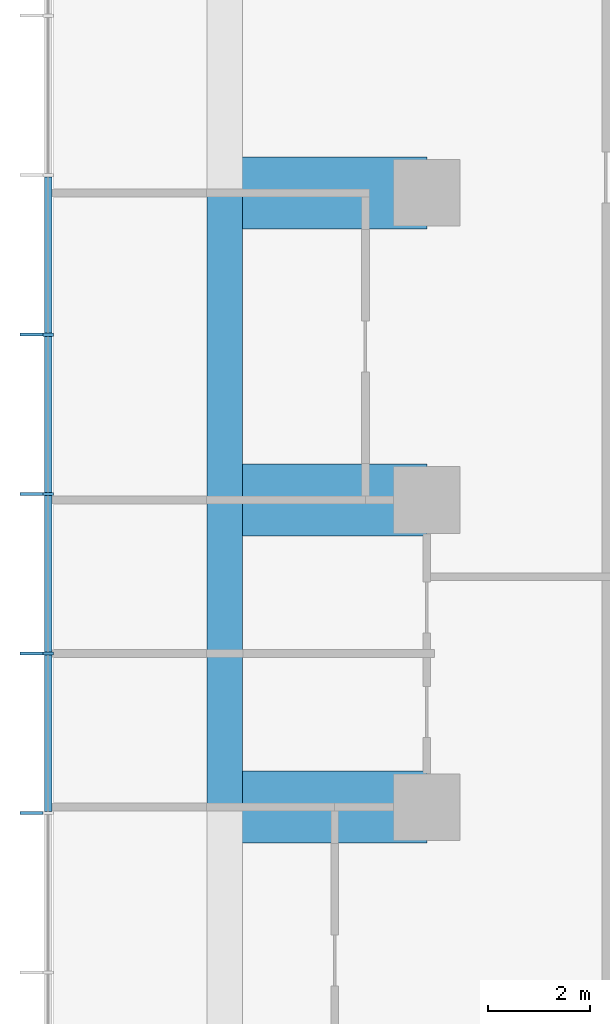
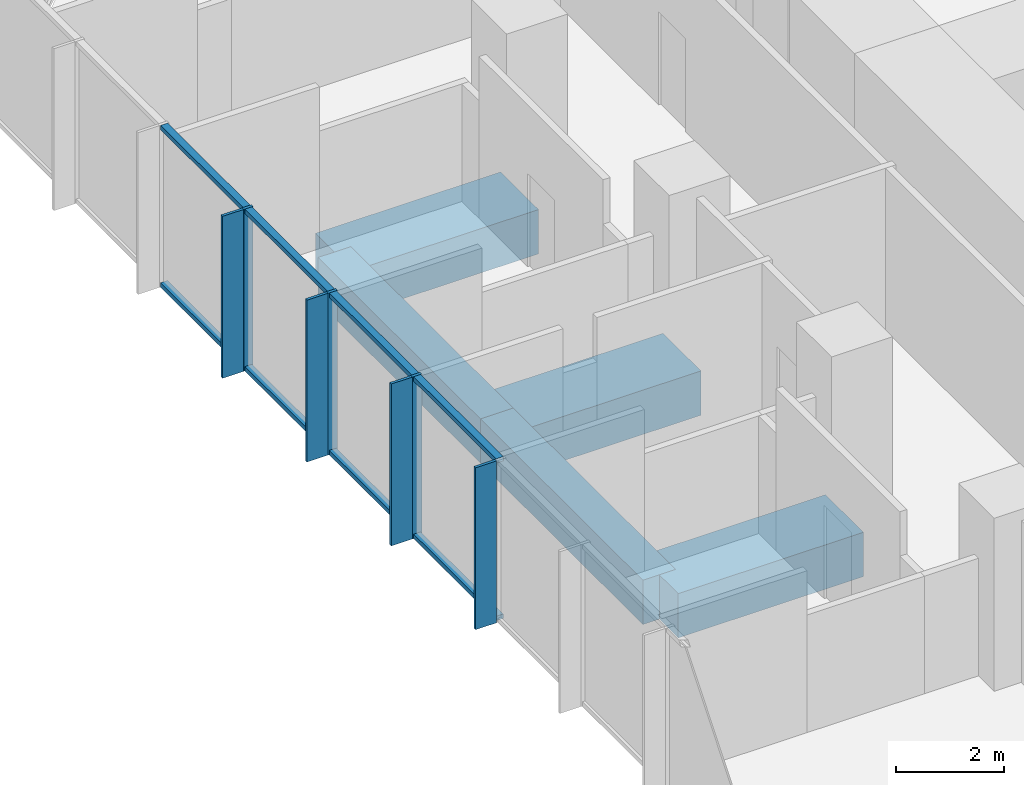
# One storey, part 3 of 11: 15 members, 5 beams, 1 element without a shape of its own.
"""IFC4 building model written with IfcOpenShell, lengths in metres."""

from ifc_helpers import new_model, si_unit, direction, frame, origin, origin_2d, place, context, subcontext, project, spatial, rectangle, extrude, material, layer, layer_set, material_profile, profile_set, type_object, element, aggregate, save


model = new_model("IFC4")

# Units and contexts
model_context = context("Model", 3, precision=1e-05, world=origin(), true_north=direction((0.0, 1.0)))
body_context = subcontext(model_context, "Body", "Model", "MODEL_VIEW")
ifc_project = project(units=[si_unit("LENGTHUNIT", "METRE"), si_unit("AREAUNIT", "SQUARE_METRE"), si_unit("VOLUMEUNIT", "CUBIC_METRE"), si_unit("PLANEANGLEUNIT", "RADIAN"), si_unit("MASSUNIT", "GRAM", prefix="KILO")], contexts=[model_context])

# Site, building, storey
site_placement = place(None, origin())
site = spatial("IfcSite", under=ifc_project, at=site_placement, CompositionType="ELEMENT")
building_placement = place(site_placement, origin())
building = spatial("IfcBuilding", under=site, at=building_placement, Name="Highveld Stack Headquarters", CompositionType="ELEMENT")
storey_placement = place(building_placement, frame((0.0, 0.0, 208.39990234375)))
storey = spatial("IfcBuildingStorey", under=building, at=storey_placement, Name="L51", CompositionType="ELEMENT", Elevation=208.39990234375)

# Beams
ifc_material_1 = material(Name="Concrete C60/75", Category="concrete")
ifc_material_profile_1 = material_profile(ifc_material_1, rectangle(XDim=1.39990234375, YDim=1.0, at=origin_2d()), Name="RC 1400x1000")
ifc_profile_set_1 = profile_set([ifc_material_profile_1], Name="Concrete C60/75")
beam_type_1 = type_object("IfcBeamType", Name="CANTILEVER RIB RC 1400x1000", PredefinedType="USERDEFINED", material=ifc_profile_set_1)
for number, where, z_axis, x_axis, name in (
    (1, (-12.0, 6.0, -0.75), (-1.0, 0.0, 0.0), (0.0, -1.0, 0.0), "Cantilever rib 4/F L51"),
    (2, (-12.0, 12.0, -0.75), (-1.0, 0.0, 0.0), (0.0, -1.0, 0.0), "Cantilever rib 4/G L51"),
    (3, (-12.0, 18.0, -0.75), (-1.0, 0.0, 0.0), (0.0, -1.0, 0.0), "Cantilever rib 4/H L51"),
):
    element("IfcBeam", number, at=place(storey_placement, frame(where, z_axis=z_axis, x_axis=x_axis)), inside=storey, type_object=beam_type_1, Name=name, ObjectType="CANTILEVER RIB", PredefinedType="USERDEFINED", context=body_context, shape_type="SweptSolid", body=[
        extrude(rectangle(XDim=1.39990234375, YDim=1.0, at=origin_2d()), origin(), (0.0, 0.0, 1.0), 3.949951171875),
    ])

# Curtain wall, members
ifc_material_2 = material(Name="Aluminium bronze anodised", Category="aluminium")
ifc_layer = layer(ifc_material_2, 0.199951171875)
ifc_layer_set = layer_set([ifc_layer], Name="Aluminium bronze anodised")
curtain_wall_type = type_object("IfcCurtainWallType", Name="CW1 TOWER UNITISED CURTAIN WALL", PredefinedType="NOTDEFINED", material=ifc_layer_set)
curtain_wall_placement = place(storey_placement, origin())
curtain_wall = element("IfcCurtainWall", 4, at=curtain_wall_placement, inside=storey, type_object=curtain_wall_type, Name="Curtain wall CW1 L51 W", PredefinedType="NOTDEFINED")
ifc_material_3 = material(Name="Aluminium bronze anodised", Category="aluminium")
ifc_material_profile_2 = material_profile(ifc_material_3, rectangle(XDim=0.449951171875, YDim=0.06005859375, at=origin_2d()), Name="FIN 450x60")
ifc_profile_set_2 = profile_set([ifc_material_profile_2], Name="Aluminium bronze anodised")
member_type_1 = type_object("IfcMemberType", Name="CW1 BRONZE FIN 450x60", PredefinedType="USERDEFINED", material=ifc_profile_set_2)
member_1_placement = place(storey_placement, frame((-19.72509765625, 15.23193359375, 0.0), z_axis=(0.0, 0.0, 1.0), x_axis=(1.0, 0.0, 0.0)))
member_1 = element("IfcMember", 5, at=member_1_placement, type_object=member_type_1, Name="CW1 fin L51 4", ObjectType="FIN", PredefinedType="USERDEFINED", context=body_context, shape_type="SweptSolid", body=[
    extrude(rectangle(XDim=0.449951171875, YDim=0.06005859375, at=origin_2d()), origin(), (0.0, 0.0, 1.0), 3.650146484375),
])
member_2_placement = place(storey_placement, frame((-19.72509765625, 12.115966796875, 0.0), z_axis=(0.0, 0.0, 1.0), x_axis=(1.0, 0.0, 0.0)))
member_2 = element("IfcMember", 6, at=member_2_placement, type_object=member_type_1, Name="CW1 fin L51 5", ObjectType="FIN", PredefinedType="USERDEFINED", context=body_context, shape_type="SweptSolid", body=[
    extrude(rectangle(XDim=0.449951171875, YDim=0.06005859375, at=origin_2d()), origin(), (0.0, 0.0, 1.0), 3.650146484375),
])
member_3_placement = place(storey_placement, frame((-19.72509765625, 9.0, 0.0), z_axis=(0.0, 0.0, 1.0), x_axis=(1.0, 0.0, 0.0)))
member_3 = element("IfcMember", 7, at=member_3_placement, type_object=member_type_1, Name="CW1 fin L51 6", ObjectType="FIN", PredefinedType="USERDEFINED", context=body_context, shape_type="SweptSolid", body=[
    extrude(rectangle(XDim=0.449951171875, YDim=0.06005859375, at=origin_2d()), origin(), (0.0, 0.0, 1.0), 3.650146484375),
])
member_4_placement = place(storey_placement, frame((-19.72509765625, 5.884033203125, 0.0), z_axis=(0.0, 0.0, 1.0), x_axis=(1.0, 0.0, 0.0)))
member_4 = element("IfcMember", 8, at=member_4_placement, type_object=member_type_1, Name="CW1 fin L51 7", ObjectType="FIN", PredefinedType="USERDEFINED", context=body_context, shape_type="SweptSolid", body=[
    extrude(rectangle(XDim=0.449951171875, YDim=0.06005859375, at=origin_2d()), origin(), (0.0, 0.0, 1.0), 3.650146484375),
])
ifc_material_4 = material(Name="Aluminium bronze anodised", Category="aluminium")
ifc_material_profile_3 = material_profile(ifc_material_4, rectangle(XDim=0.199951171875, YDim=0.06494140625, at=origin_2d()), Name="CW1 MULLION 65x200")
ifc_profile_set_3 = profile_set([ifc_material_profile_3], Name="Aluminium bronze anodised")
member_type_2 = type_object("IfcMemberType", Name="CW1 MULLION 65x200", PredefinedType="MULLION", material=ifc_profile_set_3)
member_5_placement = place(storey_placement, frame((-19.39990234375, 15.23193359375, 0.0), z_axis=(0.0, 0.0, 1.0), x_axis=(1.0, 0.0, 0.0)))
member_5 = element("IfcMember", 9, at=member_5_placement, type_object=member_type_2, Name="CW1 mullion L51 4", PredefinedType="MULLION", context=body_context, shape_type="SweptSolid", body=[
    extrude(rectangle(XDim=0.199951171875, YDim=0.06494140625, at=origin_2d()), origin(), (0.0, 0.0, 1.0), 3.650146484375),
])
member_6_placement = place(storey_placement, frame((-19.39990234375, 12.115966796875, 0.0), z_axis=(0.0, 0.0, 1.0), x_axis=(1.0, 0.0, 0.0)))
member_6 = element("IfcMember", 10, at=member_6_placement, type_object=member_type_2, Name="CW1 mullion L51 5", PredefinedType="MULLION", context=body_context, shape_type="SweptSolid", body=[
    extrude(rectangle(XDim=0.199951171875, YDim=0.06494140625, at=origin_2d()), origin(), (0.0, 0.0, 1.0), 3.650146484375),
])
member_7_placement = place(storey_placement, frame((-19.39990234375, 9.0, 0.0), z_axis=(0.0, 0.0, 1.0), x_axis=(1.0, 0.0, 0.0)))
member_7 = element("IfcMember", 11, at=member_7_placement, type_object=member_type_2, Name="CW1 mullion L51 6", PredefinedType="MULLION", context=body_context, shape_type="SweptSolid", body=[
    extrude(rectangle(XDim=0.199951171875, YDim=0.06494140625, at=origin_2d()), origin(), (0.0, 0.0, 1.0), 3.650146484375),
])
ifc_material_5 = material(Name="Aluminium bronze anodised", Category="aluminium")
ifc_material_profile_4 = material_profile(ifc_material_5, rectangle(XDim=0.14990234375, YDim=0.10009765625, at=origin_2d()), Name="CW1 TRANSOM 150x100")
ifc_profile_set_4 = profile_set([ifc_material_profile_4], Name="Aluminium bronze anodised")
member_type_3 = type_object("IfcMemberType", Name="CW1 STACK TRANSOM 150x100", PredefinedType="USERDEFINED", material=ifc_profile_set_4)
member_8_placement = place(storey_placement, frame((-19.39990234375, 18.3154296875, 0.050048828125), z_axis=(0.0, -1.0, 0.0), x_axis=(1.0, 0.0, 0.0)))
member_8 = element("IfcMember", 12, at=member_8_placement, type_object=member_type_3, Name="CW1 transom L51 3.1", ObjectType="TRANSOM", PredefinedType="USERDEFINED", context=body_context, shape_type="SweptSolid", body=[
    extrude(rectangle(XDim=0.14990234375, YDim=0.10009765625, at=origin_2d()), origin(), (0.0, 0.0, 1.0), 3.051025390625),
])
member_9_placement = place(storey_placement, frame((-19.39990234375, 18.3154296875, 3.60009765625), z_axis=(0.0, -1.0, 0.0), x_axis=(1.0, 0.0, 0.0)))
member_9 = element("IfcMember", 13, at=member_9_placement, type_object=member_type_3, Name="CW1 transom L51 3.2", ObjectType="TRANSOM", PredefinedType="USERDEFINED", context=body_context, shape_type="SweptSolid", body=[
    extrude(rectangle(XDim=0.14990234375, YDim=0.10009765625, at=origin_2d()), origin(), (0.0, 0.0, 1.0), 3.051025390625),
])
member_10_placement = place(storey_placement, frame((-19.39990234375, 15.199462890625, 0.050048828125), z_axis=(0.0, -1.0, 0.0), x_axis=(1.0, 0.0, 0.0)))
member_10 = element("IfcMember", 14, at=member_10_placement, type_object=member_type_3, Name="CW1 transom L51 4.1", ObjectType="TRANSOM", PredefinedType="USERDEFINED", context=body_context, shape_type="SweptSolid", body=[
    extrude(rectangle(XDim=0.14990234375, YDim=0.10009765625, at=origin_2d()), origin(), (0.0, 0.0, 1.0), 3.051025390625),
])
member_11_placement = place(storey_placement, frame((-19.39990234375, 15.199462890625, 3.60009765625), z_axis=(0.0, -1.0, 0.0), x_axis=(1.0, 0.0, 0.0)))
member_11 = element("IfcMember", 15, at=member_11_placement, type_object=member_type_3, Name="CW1 transom L51 4.2", ObjectType="TRANSOM", PredefinedType="USERDEFINED", context=body_context, shape_type="SweptSolid", body=[
    extrude(rectangle(XDim=0.14990234375, YDim=0.10009765625, at=origin_2d()), origin(), (0.0, 0.0, 1.0), 3.051025390625),
])
member_12_placement = place(storey_placement, frame((-19.39990234375, 12.08349609375, 0.050048828125), z_axis=(0.0, -1.0, 0.0), x_axis=(1.0, 0.0, 0.0)))
member_12 = element("IfcMember", 16, at=member_12_placement, type_object=member_type_3, Name="CW1 transom L51 5.1", ObjectType="TRANSOM", PredefinedType="USERDEFINED", context=body_context, shape_type="SweptSolid", body=[
    extrude(rectangle(XDim=0.14990234375, YDim=0.10009765625, at=origin_2d()), origin(), (0.0, 0.0, 1.0), 3.051025390625),
])
member_13_placement = place(storey_placement, frame((-19.39990234375, 12.08349609375, 3.60009765625), z_axis=(0.0, -1.0, 0.0), x_axis=(1.0, 0.0, 0.0)))
member_13 = element("IfcMember", 17, at=member_13_placement, type_object=member_type_3, Name="CW1 transom L51 5.2", ObjectType="TRANSOM", PredefinedType="USERDEFINED", context=body_context, shape_type="SweptSolid", body=[
    extrude(rectangle(XDim=0.14990234375, YDim=0.10009765625, at=origin_2d()), origin(), (0.0, 0.0, 1.0), 3.051025390625),
])
member_14_placement = place(storey_placement, frame((-19.39990234375, 8.967529296875, 0.050048828125), z_axis=(0.0, -1.0, 0.0), x_axis=(1.0, 0.0, 0.0)))
member_14 = element("IfcMember", 18, at=member_14_placement, type_object=member_type_3, Name="CW1 transom L51 6.1", ObjectType="TRANSOM", PredefinedType="USERDEFINED", context=body_context, shape_type="SweptSolid", body=[
    extrude(rectangle(XDim=0.14990234375, YDim=0.10009765625, at=origin_2d()), origin(), (0.0, 0.0, 1.0), 3.051025390625),
])
member_15_placement = place(storey_placement, frame((-19.39990234375, 8.967529296875, 3.60009765625), z_axis=(0.0, -1.0, 0.0), x_axis=(1.0, 0.0, 0.0)))
member_15 = element("IfcMember", 19, at=member_15_placement, type_object=member_type_3, Name="CW1 transom L51 6.2", ObjectType="TRANSOM", PredefinedType="USERDEFINED", context=body_context, shape_type="SweptSolid", body=[
    extrude(rectangle(XDim=0.14990234375, YDim=0.10009765625, at=origin_2d()), origin(), (0.0, 0.0, 1.0), 3.051025390625),
])
aggregate(curtain_wall, [member_5, member_1, member_6, member_2, member_7, member_3, member_4, member_8, member_9, member_10, member_11, member_12, member_13, member_14, member_15])

# Beams
ifc_material_6 = material(Name="Concrete C60/75", Category="concrete")
ifc_material_profile_5 = material_profile(ifc_material_6, rectangle(XDim=0.699951171875, YDim=1.0, at=origin_2d()), Name="RC 700x1000")
ifc_profile_set_5 = profile_set([ifc_material_profile_5], Name="Concrete C60/75")
beam_type_2 = type_object("IfcBeamType", Name="RIB TIP BEAM RC 700x1000", PredefinedType="SPANDREL", material=ifc_profile_set_5)
for number, where, z_axis, x_axis, name in (
    (20, (-15.949951171875, 6.0, -0.75), (0.0, 1.0, 0.0), (-1.0, 0.0, 0.0), "Rib tip beam 4/F to 4/G L51"),
    (21, (-15.949951171875, 12.0, -0.75), (0.0, 1.0, 0.0), (-1.0, 0.0, 0.0), "Rib tip beam 4/G to 4/H L51"),
):
    element("IfcBeam", number, at=place(storey_placement, frame(where, z_axis=z_axis, x_axis=x_axis)), inside=storey, type_object=beam_type_2, Name=name, PredefinedType="SPANDREL", context=body_context, shape_type="SweptSolid", body=[
        extrude(rectangle(XDim=0.699951171875, YDim=1.0, at=origin_2d()), origin(), (0.0, 0.0, 1.0), 6.0),
    ])

save(model, "model.ifc")
